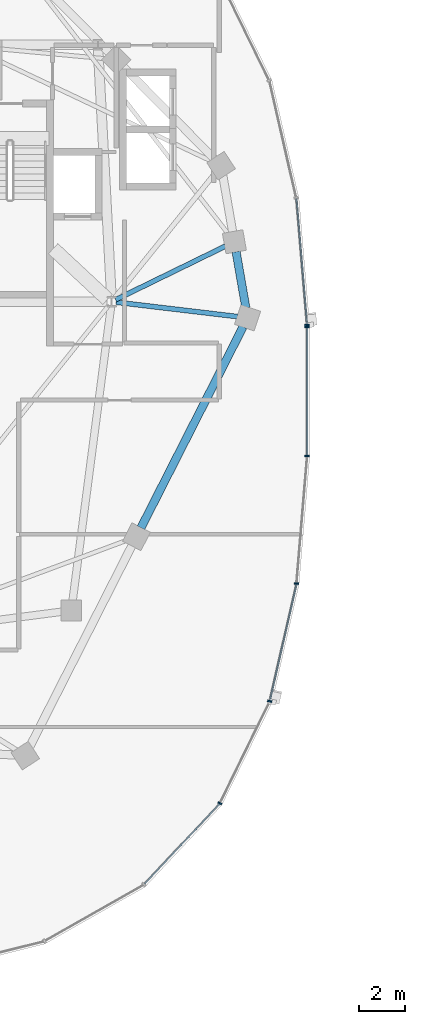
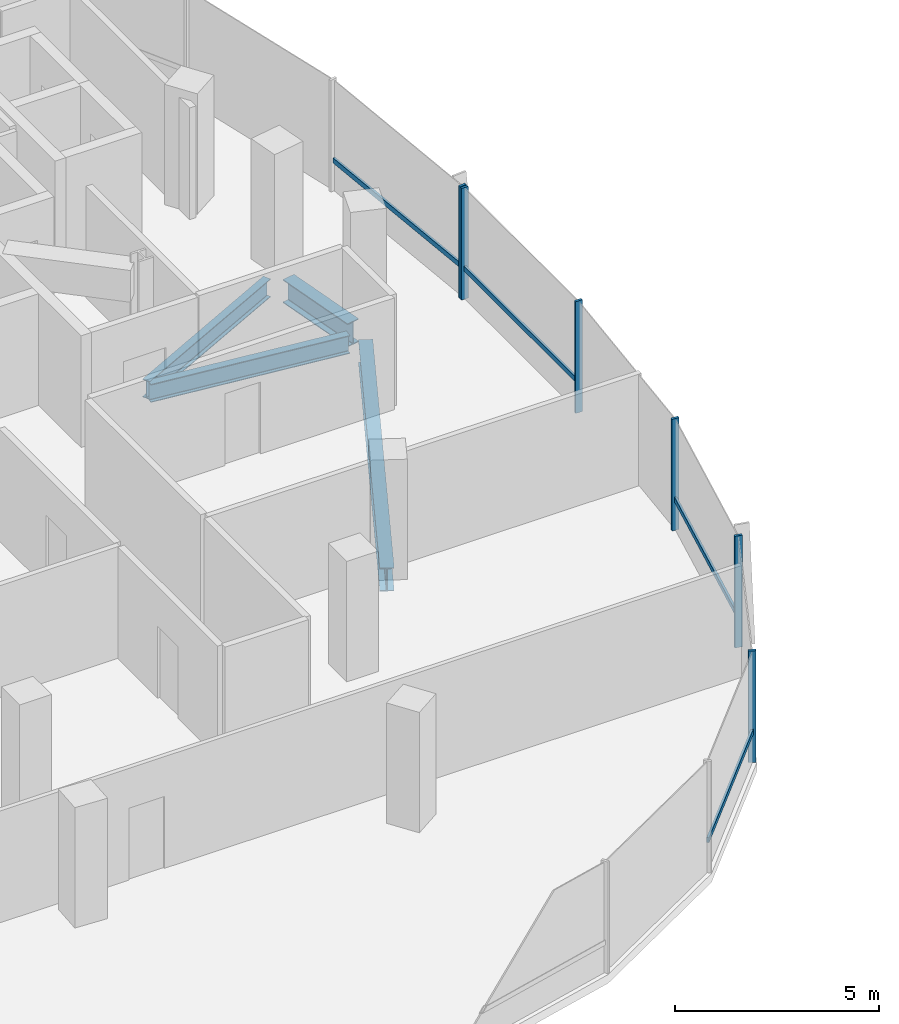
# One storey, part 5 of 25: 10 members, 4 beams, 2 elements without a shape of their own.
"""IFC4 building model written with IfcOpenShell, lengths in metres."""

from ifc_helpers import new_model, si_unit, direction, frame, origin, origin_2d, place, context, subcontext, project, spatial, rectangle, i_section, extrude, material, material_profile, profile_set, type_object, element, aggregate, save


model = new_model("IFC4")

# Units and contexts
model_context = context("Model", 3, precision=1e-05, world=origin(), true_north=direction((0.0, 1.0)))
body_context = subcontext(model_context, "Body", "Model", "MODEL_VIEW")
ifc_project = project(units=[si_unit("LENGTHUNIT", "METRE"), si_unit("AREAUNIT", "SQUARE_METRE"), si_unit("VOLUMEUNIT", "CUBIC_METRE"), si_unit("PLANEANGLEUNIT", "RADIAN"), si_unit("MASSUNIT", "GRAM", prefix="KILO"), si_unit("THERMODYNAMICTEMPERATUREUNIT", "KELVIN"), si_unit("POWERUNIT", "WATT")], contexts=[model_context])

# Site, building, storey
site_placement = place(None, origin())
site = spatial("IfcSite", under=ifc_project, at=site_placement, CompositionType="ELEMENT")
building_placement = place(site_placement, origin())
building = spatial("IfcBuilding", under=site, at=building_placement, Name="Cundina Bronze Exchange", CompositionType="ELEMENT")
storey_placement = place(building_placement, frame((0.0, 0.0, 220.60009765625)))
storey = spatial("IfcBuildingStorey", under=building, at=storey_placement, Name="L58", CompositionType="ELEMENT", Elevation=220.60009765625)

# Beams
ifc_material_1 = material(Name="Steel ASTM A992 Grade 50", Category="steel")
ifc_material_profile_1 = material_profile(ifc_material_1, i_section(OverallWidth=0.2119140625, OverallDepth=0.5439453125, WebThickness=0.01318359375, FlangeThickness=0.021240234375, FilletRadius=0.013916015625, at=origin_2d()), Name="W21X83", Category="steel")
ifc_profile_set_1 = profile_set([ifc_material_profile_1], Name="Steel ASTM A992 Grade 50")
beam_type_1 = type_object("IfcBeamType", Name="BM-FLR-W21A", PredefinedType="BEAM", material=ifc_profile_set_1)
beam_1_placement = place(storey_placement, frame((-21.25537109375, 3.876953125, -0.531982421875), z_axis=(0.993036786722, -0.117804669761, 0.0), x_axis=(0.117804669761, 0.993036786722, 0.0)))
element("IfcBeam", 1, at=beam_1_placement, inside=storey, type_object=beam_type_1, Name="L58 Leg W Radial Floor Beam 00", PredefinedType="BEAM", context=body_context, shape_type="SweptSolid", body=[
    extrude(i_section(OverallWidth=0.2119140625, OverallDepth=0.5439453125, WebThickness=0.01318359375, FlangeThickness=0.021240234375, FilletRadius=0.013916015625, at=origin_2d()), origin(), (0.0, 0.0, 1.0), 5.307373046875),
])
beam_2_placement = place(storey_placement, frame((-21.27392578125, 3.986083984375, -0.531982421875), z_axis=(0.898613202677, 0.438741737214, 0.0), x_axis=(-0.438741737214, 0.898613202677, 0.0)))
element("IfcBeam", 2, at=beam_2_placement, inside=storey, type_object=beam_type_1, Name="L58 Leg W Radial Floor Beam 01", PredefinedType="BEAM", context=body_context, shape_type="SweptSolid", body=[
    extrude(i_section(OverallWidth=0.2119140625, OverallDepth=0.5439453125, WebThickness=0.01318359375, FlangeThickness=0.021240234375, FilletRadius=0.013916015625, at=origin_2d()), origin(), (0.0, 0.0, 1.0), 5.2919921875),
])
ifc_material_profile_2 = material_profile(ifc_material_1, i_section(OverallWidth=0.35498046875, OverallDepth=0.695068359375, WebThickness=0.015380859375, FlangeThickness=0.02490234375, FilletRadius=0.01806640625, at=origin_2d()), Name="W27X146", Category="steel")
ifc_profile_set_2 = profile_set([ifc_material_profile_2], Name="Steel ASTM A992 Grade 50")
beam_type_2 = type_object("IfcBeamType", Name="BM-RING-W27", PredefinedType="USERDEFINED", material=ifc_profile_set_2)
beam_3_placement = place(storey_placement, frame((-15.625244140625, 3.631591796875, -0.607666015625), z_axis=(-0.171628556628, 0.985161732179, 0.0), x_axis=(-0.985161732179, -0.171628556628, 0.0)))
element("IfcBeam", 3, at=beam_3_placement, inside=storey, type_object=beam_type_2, Name="L58 W Perimeter Ring Girder 00", ObjectType="GIRDER", PredefinedType="USERDEFINED", context=body_context, shape_type="SweptSolid", body=[
    extrude(i_section(OverallWidth=0.35498046875, OverallDepth=0.695068359375, WebThickness=0.015380859375, FlangeThickness=0.02490234375, FilletRadius=0.01806640625, at=origin_2d()), origin(), (0.0, 0.0, 1.0), 2.4736328125),
])
beam_4_placement = place(storey_placement, frame((-20.1767578125, -5.909423828125, -0.607666015625), z_axis=(0.452846871434, 0.891588308039, 0.0), x_axis=(-0.891588308039, 0.452846871434, 0.0)))
element("IfcBeam", 4, at=beam_4_placement, inside=storey, type_object=beam_type_2, Name="L58 W Perimeter Ring Girder 13", ObjectType="GIRDER", PredefinedType="USERDEFINED", context=body_context, shape_type="SweptSolid", body=[
    extrude(i_section(OverallWidth=0.35498046875, OverallDepth=0.695068359375, WebThickness=0.015380859375, FlangeThickness=0.02490234375, FilletRadius=0.01806640625, at=origin_2d()), origin(), (0.0, 0.0, 1.0), 9.779052734375),
])

# Curtain wall, member
ifc_material_2 = material(Name="Anodised Bronze Aluminium 6063-T6", Category="aluminium")
curtain_wall_type = type_object("IfcCurtainWallType", Name="CWS-UPP-OFF", PredefinedType="NOTDEFINED", material=ifc_material_2)
curtain_wall_1_placement = place(storey_placement, origin())
curtain_wall_1 = element("IfcCurtainWall", 5, at=curtain_wall_1_placement, inside=storey, type_object=curtain_wall_type, Name="L58 CW-05 Curtain Wall Run CWR-L58-W1", PredefinedType="NOTDEFINED")
ifc_material_profile_3 = material_profile(ifc_material_2, rectangle(XDim=0.070068359375, YDim=0.18994140625, at=origin_2d()), Name="AL70X190", Category="aluminium")
ifc_profile_set_3 = profile_set([ifc_material_profile_3], Name="Anodised Bronze Aluminium 6063-T6")
member_type_1 = type_object("IfcMemberType", Name="CWM-MUL-190", PredefinedType="MULLION", material=ifc_profile_set_3)
member_1_placement = place(storey_placement, frame((-12.9697265625, 2.88330078125, 0.0), z_axis=(0.0, 0.0, 1.0), x_axis=(-0.083677843332, 0.99649285925, 0.0)))
member_1 = element("IfcMember", 6, at=member_1_placement, type_object=member_type_1, Name="CW-05 Mullion 1", PredefinedType="MULLION", context=body_context, shape_type="SweptSolid", body=[
    extrude(rectangle(XDim=0.070068359375, YDim=0.18994140625, at=origin_2d()), origin(), (0.0, 0.0, 1.0), 3.33984375),
])

# Curtain wall, members
curtain_wall_2_placement = place(storey_placement, origin())
curtain_wall_2 = element("IfcCurtainWall", 7, at=curtain_wall_2_placement, inside=storey, type_object=curtain_wall_type, Name="L58 CW-05 Curtain Wall Run CWR-L58-W4", PredefinedType="NOTDEFINED")
member_2_placement = place(storey_placement, frame((-16.754638671875, -17.866455078125, 0.0), z_axis=(0.0, 0.0, 1.0), x_axis=(0.440566004113, 0.897720221461, 0.0)))
member_2 = element("IfcMember", 8, at=member_2_placement, type_object=member_type_1, Name="CW-05 Mullion 4", PredefinedType="MULLION", context=body_context, shape_type="SweptSolid", body=[
    extrude(rectangle(XDim=0.070068359375, YDim=0.18994140625, at=origin_2d()), origin(), (0.0, 0.0, 1.0), 3.33984375),
])
member_3_placement = place(storey_placement, frame((-14.59228515625, -13.440673828125, 0.0), z_axis=(0.0, 0.0, 1.0), x_axis=(0.223250116011, 0.974761194191, 0.0)))
member_3 = element("IfcMember", 9, at=member_3_placement, type_object=member_type_1, Name="CW-05 Mullion 5", PredefinedType="MULLION", context=body_context, shape_type="SweptSolid", body=[
    extrude(rectangle(XDim=0.070068359375, YDim=0.18994140625, at=origin_2d()), origin(), (0.0, 0.0, 1.0), 3.33984375),
])
member_4_placement = place(storey_placement, frame((-13.427490234375, -8.33056640625, 0.0), z_axis=(0.0, 0.0, 1.0), x_axis=(0.083677843332, 0.99649285925, 0.0)))
member_4 = element("IfcMember", 10, at=member_4_placement, type_object=member_type_1, Name="CW-05 Mullion 6", PredefinedType="MULLION", context=body_context, shape_type="SweptSolid", body=[
    extrude(rectangle(XDim=0.070068359375, YDim=0.18994140625, at=origin_2d()), origin(), (0.0, 0.0, 1.0), 3.33984375),
])
member_5_placement = place(storey_placement, frame((-12.966064453125, -2.794921875, 0.0), z_axis=(0.0, 0.0, 1.0), x_axis=(0.0, 1.0, 0.0)))
member_5 = element("IfcMember", 11, at=member_5_placement, type_object=member_type_1, Name="CW-05 Mullion 7", PredefinedType="MULLION", context=body_context, shape_type="SweptSolid", body=[
    extrude(rectangle(XDim=0.070068359375, YDim=0.18994140625, at=origin_2d()), origin(), (0.0, 0.0, 1.0), 3.33984375),
])
member_6_placement = place(storey_placement, frame((-12.966064453125, 2.794921875, 0.0), z_axis=(0.0, 0.0, 1.0), x_axis=(0.0, 1.0, 0.0)))
member_6 = element("IfcMember", 12, at=member_6_placement, type_object=member_type_1, Name="CW-05 End Mullion", PredefinedType="MULLION", context=body_context, shape_type="SweptSolid", body=[
    extrude(rectangle(XDim=0.070068359375, YDim=0.18994140625, at=origin_2d()), origin(), (0.0, 0.0, 1.0), 3.33984375),
])

# Member
ifc_material_profile_4 = material_profile(ifc_material_2, rectangle(XDim=0.06494140625, YDim=0.14990234375, at=origin_2d()), Name="AL65X150", Category="aluminium")
ifc_profile_set_4 = profile_set([ifc_material_profile_4], Name="Anodised Bronze Aluminium 6063-T6")
member_type_2 = type_object("IfcMemberType", Name="CWM-TRN-150", PredefinedType="USERDEFINED", material=ifc_profile_set_4)
member_7_placement = place(storey_placement, frame((-12.972900390625, 2.921630859375, 0.919921875), z_axis=(-0.083740331158, 0.996487610027, 0.0), x_axis=(-0.996487610027, -0.083740331158, 0.0)))
member_7 = element("IfcMember", 13, at=member_7_placement, type_object=member_type_2, Name="CW-05 Spandrel Transom 1", ObjectType="TRANSOM", PredefinedType="USERDEFINED", context=body_context, shape_type="SweptSolid", body=[
    extrude(rectangle(XDim=0.06494140625, YDim=0.14990234375, at=origin_2d()), origin(), (0.0, 0.0, 1.0), 5.466552734375),
])

aggregate(curtain_wall_1, [member_1, member_7])

member_8_placement = place(storey_placement, frame((-20.02490234375, -21.364501953125, 0.919921875), z_axis=(0.684336416554, 0.729166420633, 0.0), x_axis=(-0.729166420633, 0.684336416554, 0.0)))
member_8 = element("IfcMember", 14, at=member_8_placement, type_object=member_type_2, Name="CW-05 Spandrel Transom 3", ObjectType="TRANSOM", PredefinedType="USERDEFINED", context=body_context, shape_type="SweptSolid", body=[
    extrude(rectangle(XDim=0.06494140625, YDim=0.14990234375, at=origin_2d()), origin(), (0.0, 0.0, 1.0), 4.76513671875),
])

member_9_placement = place(storey_placement, frame((-14.58349609375, -13.403076171875, 0.919921875), z_axis=(0.22328343579, 0.974753562344, 0.0), x_axis=(-0.974753562344, 0.22328343579, 0.0)))
member_9 = element("IfcMember", 15, at=member_9_placement, type_object=member_type_2, Name="CW-05 Spandrel Transom 5", ObjectType="TRANSOM", PredefinedType="USERDEFINED", context=body_context, shape_type="SweptSolid", body=[
    extrude(rectangle(XDim=0.06494140625, YDim=0.14990234375, at=origin_2d()), origin(), (0.0, 0.0, 1.0), 5.159912109375),
])

member_10_placement = place(storey_placement, frame((-12.966064453125, -2.756591796875, 0.919921875), z_axis=(0.0, 1.0, 0.0), x_axis=(-1.0, 0.0, 0.0)))
member_10 = element("IfcMember", 16, at=member_10_placement, type_object=member_type_2, Name="CW-05 Spandrel Transom 7", ObjectType="TRANSOM", PredefinedType="USERDEFINED", context=body_context, shape_type="SweptSolid", body=[
    extrude(rectangle(XDim=0.06494140625, YDim=0.14990234375, at=origin_2d()), origin(), (0.0, 0.0, 1.0), 5.51318359375),
])

aggregate(curtain_wall_2, [member_8, member_2, member_3, member_9, member_4, member_5, member_6, member_10])

save(model, "model.ifc")
